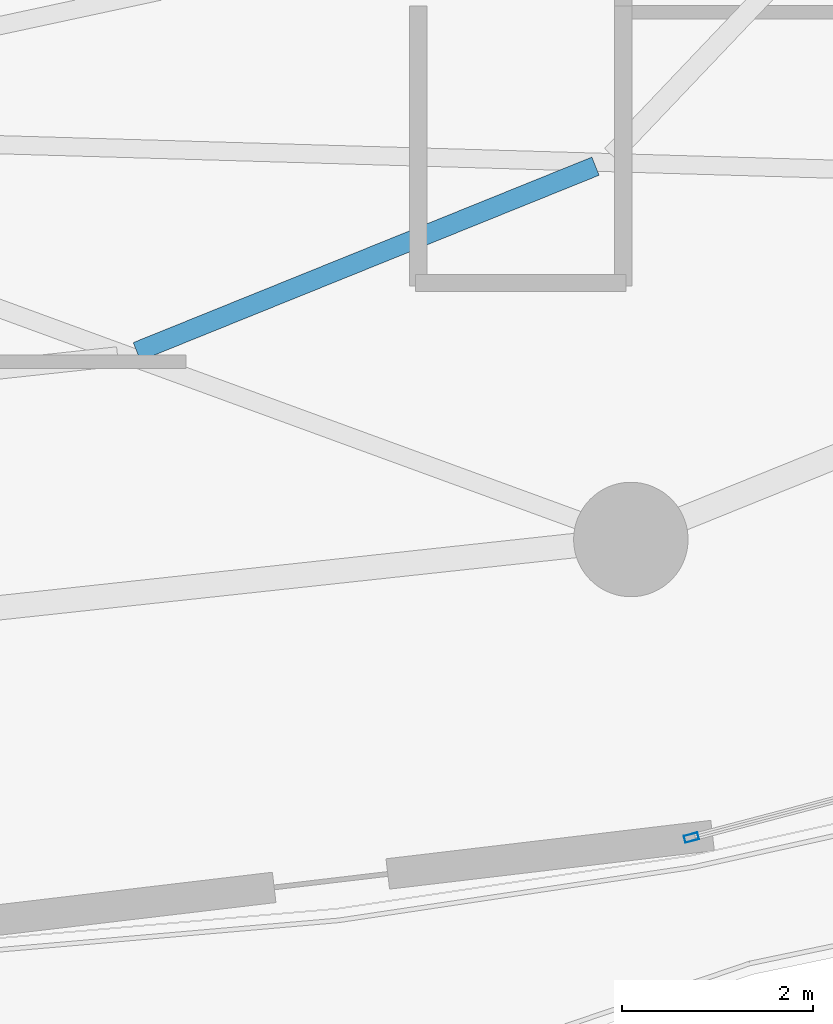
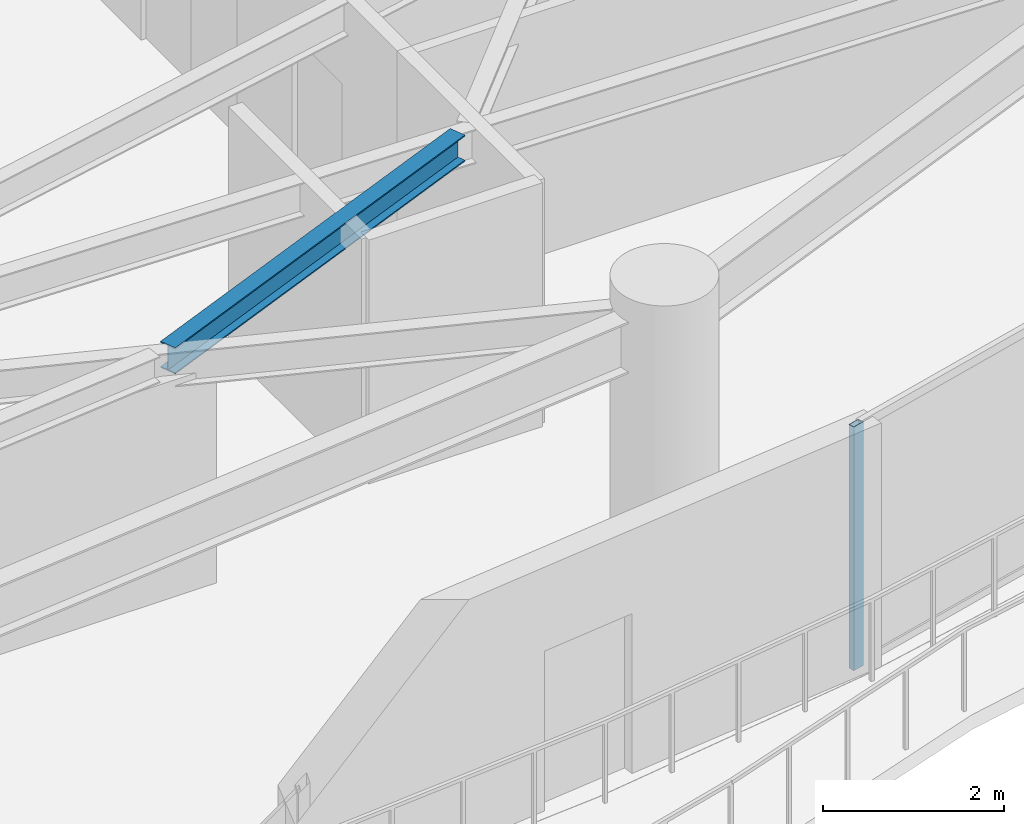
# One storey, part 12 of 33: 1 beam, 1 member, 1 element without a shape of its own.
"""IFC4 building model written with IfcOpenShell, lengths in metres."""

from ifc_helpers import new_model, si_unit, direction, frame, origin, origin_2d, place, context, subcontext, project, spatial, hollow_rectangle, i_section, extrude, material, layer, layer_set, material_profile, profile_set, type_object, element, aggregate, save


model = new_model("IFC4")

# Units and contexts
model_context = context("Model", 3, precision=1e-05, world=origin(), true_north=direction((0.0, 1.0)))
body_context = subcontext(model_context, "Body", "Model", "MODEL_VIEW")
ifc_project = project(units=[si_unit("LENGTHUNIT", "METRE"), si_unit("AREAUNIT", "SQUARE_METRE"), si_unit("VOLUMEUNIT", "CUBIC_METRE"), si_unit("PLANEANGLEUNIT", "RADIAN"), si_unit("MASSUNIT", "GRAM", prefix="KILO")], contexts=[model_context])

# Site, building, storey
site_placement = place(None, origin())
site = spatial("IfcSite", under=ifc_project, at=site_placement, CompositionType="ELEMENT")
building_placement = place(site_placement, origin())
building = spatial("IfcBuilding", under=site, at=building_placement, Name="Kazevale Care Tower and Concert Hall", CompositionType="ELEMENT")
storey_placement = place(building_placement, frame((0.0, 0.0, 178.199951171875)))
storey = spatial("IfcBuildingStorey", under=building, at=storey_placement, Name="L47", CompositionType="ELEMENT", Elevation=178.199951171875)

# Curtain wall, member
ifc_material_1 = material(Name="Aluminium 6063-T6 and Low-E Glass", Category="aluminium")
ifc_layer = layer(ifc_material_1, 0.179931640625)
ifc_layer_set = layer_set([ifc_layer], Name="Aluminium 6063-T6 and Low-E Glass")
curtain_wall_type = type_object("IfcCurtainWallType", Name="Sheltered Concave Balcony Curtain Wall CW-5", PredefinedType="NOTDEFINED", material=ifc_layer_set)
curtain_wall_placement = place(storey_placement, origin())
curtain_wall = element("IfcCurtainWall", 1, at=curtain_wall_placement, inside=storey, type_object=curtain_wall_type, Name="cw:L47:f04", PredefinedType="NOTDEFINED")
ifc_material_2 = material(Name="Aluminium 6063-T6", Category="aluminium")
ifc_material_profile_1 = material_profile(ifc_material_2, hollow_rectangle(XDim=0.074951171875, YDim=0.14990234375, WallThickness=0.00390625, at=origin_2d()), Name="ALU75x150x4")
ifc_profile_set_1 = profile_set([ifc_material_profile_1], Name="Aluminium 6063-T6")
member_type = type_object("IfcMemberType", Name="CW-5 Mullion ALU75x150x4", PredefinedType="MULLION", material=ifc_profile_set_1)
member_placement = place(storey_placement, frame((56.365234375, 16.18359375, 0.0), z_axis=(0.0, 0.0, 1.0), x_axis=(0.254238458229, -0.967141564797, 0.0)))
member = element("IfcMember", 2, at=member_placement, type_object=member_type, Name="CW-5 mullion 2", PredefinedType="MULLION", context=body_context, shape_type="SweptSolid", body=[
    extrude(hollow_rectangle(XDim=0.074951171875, YDim=0.14990234375, WallThickness=0.00390625, at=origin_2d()), origin(), (0.0, 0.0, 1.0), 3.280029296875),
])
aggregate(curtain_wall, [member])

# Beam
ifc_material_3 = material(Name="Steel ASTM A572 Gr 50", Category="steel")
ifc_material_profile_2 = material_profile(ifc_material_3, i_section(OverallWidth=0.205078125, OverallDepth=0.35400390625, WebThickness=0.009521484375, FlangeThickness=0.016845703125, at=origin_2d()), Name="W360x79")
ifc_profile_set_2 = profile_set([ifc_material_profile_2], Name="Steel ASTM A572 Gr 50")
beam_type = type_object("IfcBeamType", Name="Secondary Floor Joist W360x79", PredefinedType="JOIST", material=ifc_profile_set_2)
beam_placement = place(storey_placement, frame((50.549072265625, 21.280029296875, 3.10302734375), z_axis=(0.927064833216, 0.374901046964, 0.0), x_axis=(-0.374901046964, 0.927064833216, 0.0)))
element("IfcBeam", 3, at=beam_placement, inside=storey, type_object=beam_type, Name="beam:L47:joist:14", PredefinedType="JOIST", context=body_context, shape_type="SweptSolid", body=[
    extrude(i_section(OverallWidth=0.205078125, OverallDepth=0.35400390625, WebThickness=0.009521484375, FlangeThickness=0.016845703125, at=origin_2d()), origin(), (0.0, 0.0, 1.0), 5.188232421875),
])

save(model, "model.ifc")
